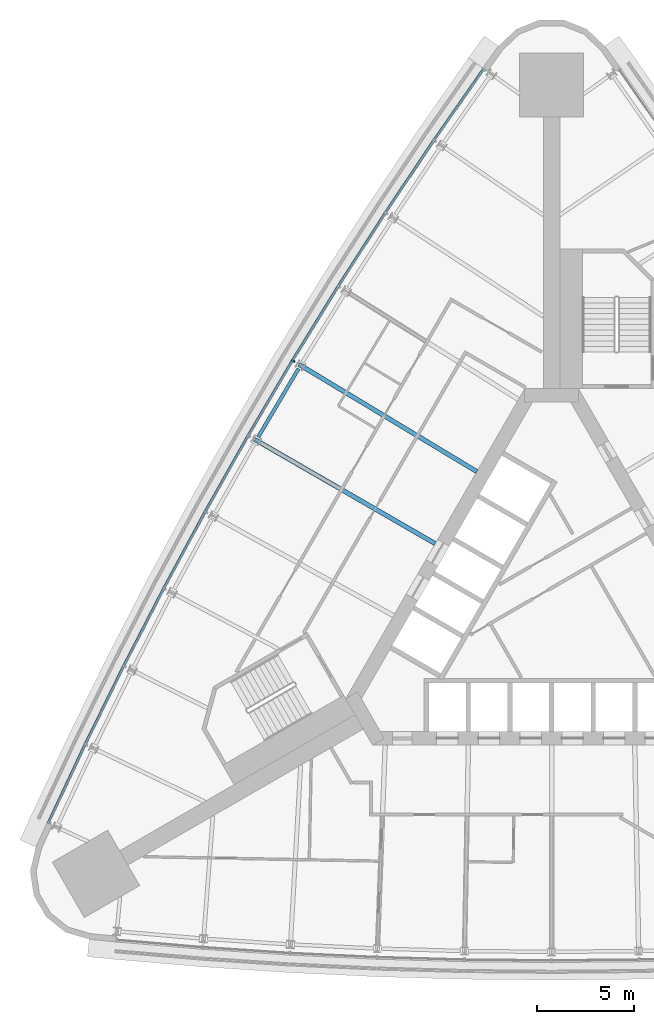
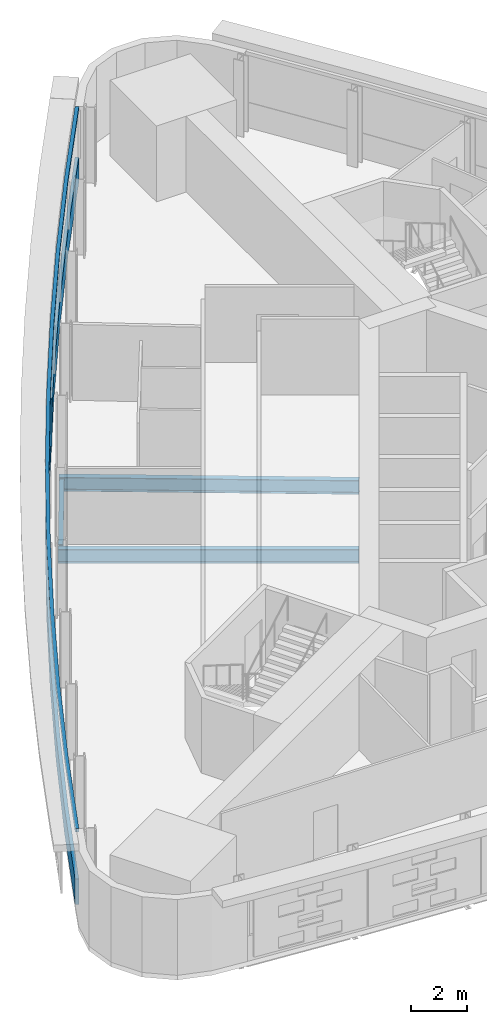
# One storey, part 5 of 15: 3 beams, 3 members, 1 element without a shape of its own.
"""IFC4 building model written with IfcOpenShell, lengths in metres."""

from ifc_helpers import new_model, si_unit, direction, frame, origin, origin_2d, place, context, subcontext, project, spatial, polyline, rectangle, i_section, outline, extrude, material, material_profile, profile_set, type_object, element, aggregate, save


model = new_model("IFC4")

# Units and contexts
model_context = context("Model", 3, precision=1e-05, world=origin(), true_north=direction((0.0, 1.0)))
body_context = subcontext(model_context, "Body", "Model", "MODEL_VIEW")
ifc_project = project(units=[si_unit("LENGTHUNIT", "METRE"), si_unit("AREAUNIT", "SQUARE_METRE"), si_unit("VOLUMEUNIT", "CUBIC_METRE"), si_unit("PLANEANGLEUNIT", "RADIAN"), si_unit("MASSUNIT", "GRAM", prefix="KILO")], contexts=[model_context])

# Site, building, storey
site_placement = place(None, origin())
site = spatial("IfcSite", under=ifc_project, at=site_placement, CompositionType="ELEMENT")
building_placement = place(site_placement, origin())
building = spatial("IfcBuilding", under=site, at=building_placement, Name="Noor Cloister Tower", CompositionType="ELEMENT")
storey_placement = place(building_placement, frame((0.0, 0.0, 49.199951171875)))
storey = spatial("IfcBuildingStorey", under=building, at=storey_placement, Name="L12", CompositionType="ELEMENT", Elevation=49.199951171875)

# Curtain wall, members
ifc_material_1 = material(Name="Aluminium 6063-T6 anodised", Category="aluminium")
curtain_wall_type = type_object("IfcCurtainWallType", Name="Ribbon curtain wall, lower tower CW1", PredefinedType="NOTDEFINED", material=ifc_material_1)
curtain_wall_placement = place(storey_placement, origin())
curtain_wall = element("IfcCurtainWall", 1, at=curtain_wall_placement, inside=storey, type_object=curtain_wall_type, Name="CW1 L12 NW run 1", PredefinedType="NOTDEFINED")
ifc_material_2 = material(Name="Aluminium 6063-T6 anodised", Category="aluminium")
member_type_1 = type_object("IfcMemberType", Name="Head transom CW1 150", PredefinedType="USERDEFINED", material=ifc_material_2)
member_1_placement = place(storey_placement, frame((0.0, 0.0, 3.150146484375)))
member_1 = element("IfcMember", 2, at=member_1_placement, type_object=member_type_1, Name="CW1 head transom", ObjectType="TRANSOM", PredefinedType="USERDEFINED", context=body_context, shape_type="SweptSolid", body=[
    extrude(outline(polyline([(-3.548095703125, 27.990478515625), (-6.12109375, 24.298828125), (-8.6240234375, 20.55908203125), (-11.0556640625, 16.77294921875), (-13.415283203125, 12.941162109375), (-15.7021484375, 9.065673828125), (-17.9150390625, 5.1474609375), (-20.053466796875, 1.18798828125), (-22.11669921875, -2.81103515625), (-24.10400390625, -6.848388671875), (-26.014404296875, -10.922607421875), (-25.8876953125, -10.98193359375), (-23.977783203125, -6.908935546875), (-21.99169921875, -2.8740234375), (-19.9296875, 1.122802734375), (-17.79248046875, 5.079833984375), (-15.580810546875, 8.99560546875), (-13.29541015625, 12.868896484375), (-10.937255859375, 16.6982421875), (-8.5068359375, 20.482421875), (-6.005615234375, 24.219970703125), (-3.43310546875, 27.910400390625), (-3.548095703125, 27.990478515625)])), origin(), (0.0, 0.0, 1.0), 0.14990234375),
])
ifc_material_3 = material(Name="Aluminium 6063-T6 anodised", Category="aluminium")
ifc_material_profile_1 = material_profile(ifc_material_3, rectangle(XDim=0.199951171875, YDim=0.080078125, at=origin_2d()), Name="200 x 80 mullion")
ifc_profile_set_1 = profile_set([ifc_material_profile_1], Name="Aluminium 6063-T6 anodised")
member_type_2 = type_object("IfcMemberType", Name="Mullion CW1 80 x 200", PredefinedType="MULLION", material=ifc_profile_set_1)
member_2_placement = place(storey_placement, frame((-13.32958984375, 12.8896484375, 1.10009765625), z_axis=(0.0, 0.0, 1.0), x_axis=(0.856413087719, -0.516291219356, 0.0)))
member_2 = element("IfcMember", 3, at=member_2_placement, type_object=member_type_2, Name="CW1 mullion 5", PredefinedType="MULLION", context=body_context, shape_type="SweptSolid", body=[
    extrude(rectangle(XDim=0.199951171875, YDim=0.080078125, at=origin_2d()), origin(), (0.0, 0.0, 1.0), 2.050048828125),
])

# Beams
ifc_material_4 = material(Name="Steel ASTM A992 Gr 50", Category="steel")
ifc_material_profile_2 = material_profile(ifc_material_4, i_section(OverallWidth=0.22802734375, OverallDepth=0.60205078125, WebThickness=0.010498046875, FlangeThickness=0.014892578125, FilletRadius=0.0126953125, at=origin_2d()), Name="W610x101")
ifc_profile_set_2 = profile_set([ifc_material_profile_2], Name="Steel ASTM A992 Gr 50")
beam_type_1 = type_object("IfcBeamType", Name="Radial beam W610x101", PredefinedType="BEAM", material=ifc_profile_set_2)
beam_1_placement = place(storey_placement, frame((-13.02734375, 12.707275390625, -0.5009765625), z_axis=(0.856416913389, -0.51628487336, 0.0), x_axis=(0.51628487336, 0.856416913389, 0.0)))
element("IfcBeam", 4, at=beam_1_placement, inside=storey, type_object=beam_type_1, Name="Radial beam NW 05 L12", PredefinedType="BEAM", context=body_context, shape_type="SweptSolid", body=[
    extrude(i_section(OverallWidth=0.22802734375, OverallDepth=0.60205078125, WebThickness=0.010498046875, FlangeThickness=0.014892578125, FilletRadius=0.0126953125, at=origin_2d()), origin(), (0.0, 0.0, 1.0), 10.709228515625),
])
beam_2_placement = place(storey_placement, frame((-15.309814453125, 8.839111328125, -0.5009765625), z_axis=(0.866026365697, -0.499998333915, 0.0), x_axis=(0.499998333915, 0.866026365697, 0.0)))
element("IfcBeam", 5, at=beam_2_placement, inside=storey, type_object=beam_type_1, Name="Radial beam NW 06 L12", PredefinedType="BEAM", context=body_context, shape_type="SweptSolid", body=[
    extrude(i_section(OverallWidth=0.22802734375, OverallDepth=0.60205078125, WebThickness=0.010498046875, FlangeThickness=0.014892578125, FilletRadius=0.0126953125, at=origin_2d()), origin(), (0.0, 0.0, 1.0), 10.75),
])

# Member
ifc_material_5 = material(Name="Aluminium 6063-T6 anodised", Category="aluminium")
member_type_3 = type_object("IfcMemberType", Name="Sill transom CW1 1100", PredefinedType="USERDEFINED", material=ifc_material_5)
member_3_placement = place(storey_placement, origin())
member_3 = element("IfcMember", 6, at=member_3_placement, type_object=member_type_3, Name="CW1 sill transom", ObjectType="TRANSOM", PredefinedType="USERDEFINED", context=body_context, shape_type="SweptSolid", body=[
    extrude(outline(polyline([(-3.548095703125, 27.990478515625), (-6.12109375, 24.298828125), (-8.6240234375, 20.55908203125), (-11.0556640625, 16.77294921875), (-13.415283203125, 12.941162109375), (-15.7021484375, 9.065673828125), (-17.9150390625, 5.1474609375), (-20.053466796875, 1.18798828125), (-22.11669921875, -2.81103515625), (-24.10400390625, -6.848388671875), (-26.014404296875, -10.922607421875), (-25.8876953125, -10.98193359375), (-23.977783203125, -6.908935546875), (-21.99169921875, -2.8740234375), (-19.9296875, 1.122802734375), (-17.79248046875, 5.079833984375), (-15.580810546875, 8.99560546875), (-13.29541015625, 12.868896484375), (-10.937255859375, 16.6982421875), (-8.5068359375, 20.482421875), (-6.005615234375, 24.219970703125), (-3.43310546875, 27.910400390625), (-3.548095703125, 27.990478515625)])), origin(), (0.0, 0.0, 1.0), 1.10009765625),
])

aggregate(curtain_wall, [member_2, member_3, member_1])

# Beam
ifc_material_6 = material(Name="Steel ASTM A992 Gr 50", Category="steel")
ifc_material_profile_3 = material_profile(ifc_material_6, i_section(OverallWidth=0.177978515625, OverallDepth=0.406005859375, WebThickness=0.0078125, FlangeThickness=0.0126953125, FilletRadius=0.01025390625, at=origin_2d()), Name="W410x60")
ifc_profile_set_3 = profile_set([ifc_material_profile_3], Name="Steel ASTM A992 Gr 50")
beam_type_2 = type_object("IfcBeamType", Name="Spandrel beam W410x60", PredefinedType="SPANDREL", material=ifc_profile_set_3)
beam_3_placement = place(storey_placement, frame((-13.046875, 12.483154296875, -0.40283203125), z_axis=(-0.508189643386, -0.861245195258, 0.0), x_axis=(0.861245195258, -0.508189643386, 0.0)))
element("IfcBeam", 7, at=beam_3_placement, inside=storey, type_object=beam_type_2, Name="Spandrel beam NW 05 L12", PredefinedType="SPANDREL", context=body_context, shape_type="SweptSolid", body=[
    extrude(i_section(OverallWidth=0.177978515625, OverallDepth=0.406005859375, WebThickness=0.0078125, FlangeThickness=0.0126953125, FilletRadius=0.01025390625, at=origin_2d()), origin(), (0.0, 0.0, 1.0), 4.08544921875),
])

save(model, "model.ifc")
